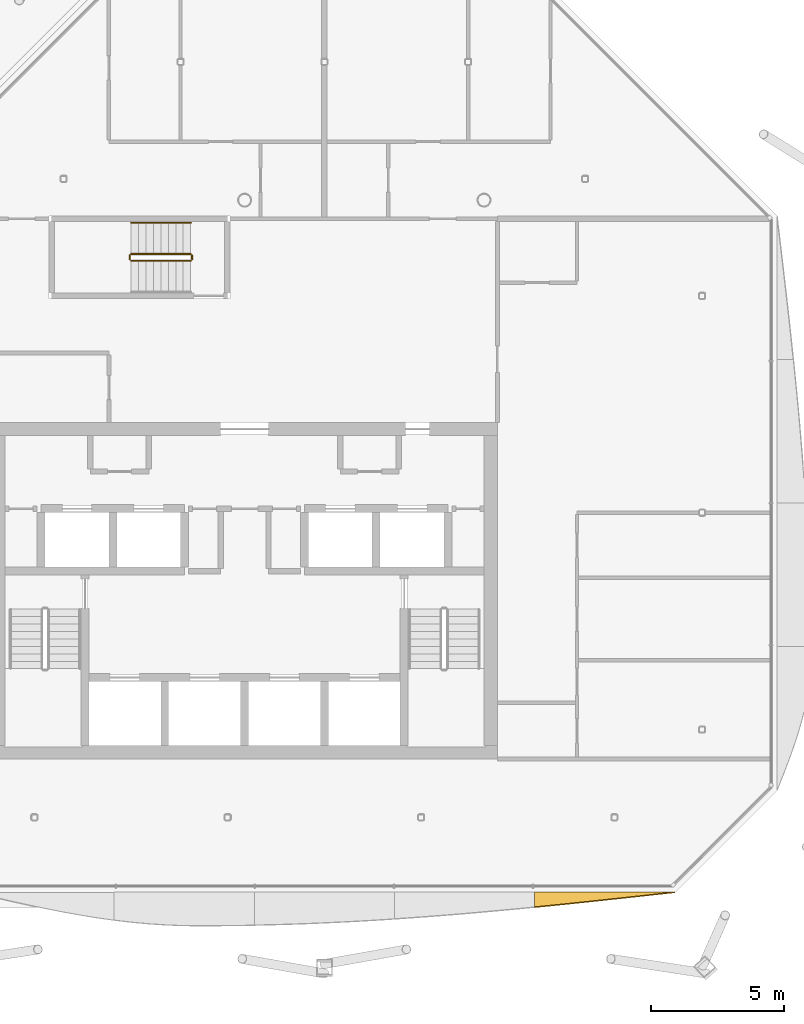
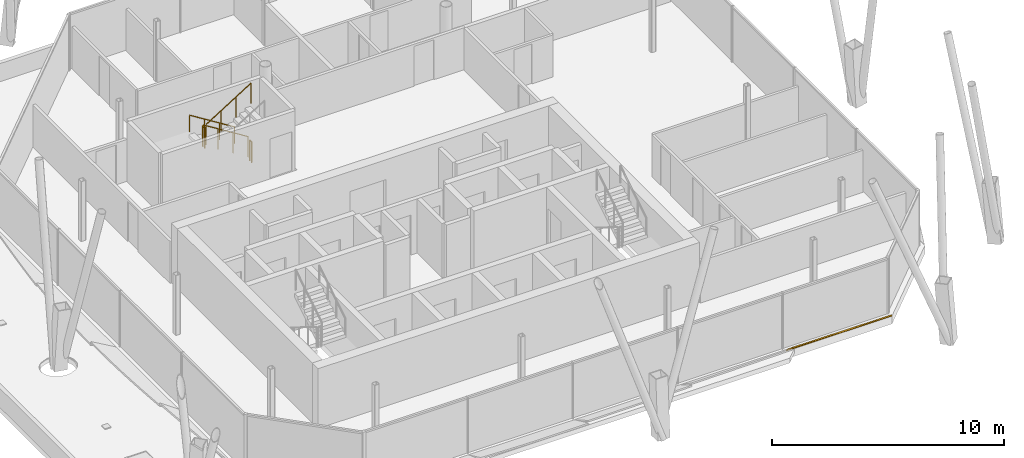
# One storey, part 15 of 17: 5 railings, 1 shading device.
"""IFC4 building model written with IfcOpenShell, lengths in metres."""

from ifc_helpers import new_model, si_unit, direction, frame, origin, origin_2d, place, context, subcontext, project, spatial, polyline, circle, outline, extrude, material, layer, layer_set, type_object, element, save


model = new_model("IFC4")

# Units and contexts
model_context = context("Model", 3, precision=1e-05, world=origin(), true_north=direction((0.0, 1.0)))
body_context = subcontext(model_context, "Body", "Model", "MODEL_VIEW")
ifc_project = project(units=[si_unit("LENGTHUNIT", "METRE"), si_unit("AREAUNIT", "SQUARE_METRE"), si_unit("VOLUMEUNIT", "CUBIC_METRE"), si_unit("PLANEANGLEUNIT", "RADIAN"), si_unit("MASSUNIT", "GRAM", prefix="KILO")], contexts=[model_context])

# Site, building, storey
site_placement = place(None, origin())
site = spatial("IfcSite", under=ifc_project, at=site_placement, CompositionType="ELEMENT")
building_placement = place(site_placement, origin())
building = spatial("IfcBuilding", under=site, at=building_placement, Name="Tskaro Facet Tower", CompositionType="ELEMENT")
storey_placement = place(building_placement, frame((0.0, 0.0, 259.5)))
storey = spatial("IfcBuildingStorey", under=building, at=storey_placement, Name="L68", CompositionType="ELEMENT", Elevation=259.5)

# Shading device
ifc_material_1 = material(Name="Bronze anodised aluminium 6063-T6", Category="aluminium")
ifc_layer = layer(ifc_material_1, 0.06005859375, Name="Bronze anodised aluminium 6063-T6")
ifc_layer_set = layer_set([ifc_layer], Name="Bronze anodised aluminium 6063-T6")
shading_device_type = type_object("IfcShadingDeviceType", Name="Bronze sun blade (FN1)", PredefinedType="USERDEFINED", material=ifc_layer_set)
shading_device_placement = place(storey_placement, frame((10.904296875, -17.00439453125, 0.0458984375), z_axis=(-1.8355717e-05, 0.642906464729, 0.765944695962), x_axis=(0.999999999832, 1.1801009e-05, 1.4059464e-05)))
element("IfcShadingDevice", 1, at=shading_device_placement, inside=storey, type_object=shading_device_type, Name="Fin blade south 5", ObjectType="FIN", PredefinedType="USERDEFINED", context=body_context, shape_type="SweptSolid", body=[
    extrude(outline(polyline([(0.0, 0.0), (5.269775389737221, 8.927346760978551e-21), (4.61108398603137, -0.09477836693077234), (3.9523925783416507, -0.18905581647244163), (3.293701172981657, -0.28280230999433065), (2.6350097659675216, -0.37551693010733644), (1.9763183572992444, -0.4671996768114589), (1.3173828115626973, -0.5571325958700988), (0.6586914036942062, -0.6453457259139332), (-1.7203570959133154e-09, -0.7311211127063628), (0.0, 0.0)])), origin(), (0.0, 0.0, -1.0), 0.06005859375),
])

# Railings
ifc_material_2 = material(Name="Stainless steel", Category="steel")
railing_type_1 = type_object("IfcRailingType", Name="RL-GUARD-1100", PredefinedType="GUARDRAIL", material=ifc_material_2)
railing_1_placement = place(storey_placement, frame((-2.02490234375, 6.97509765625, 0.175048828125)))
element("IfcRailing", 2, at=railing_1_placement, inside=storey, type_object=railing_type_1, Name="L68 ST-3 stair guard 1", PredefinedType="GUARDRAIL", context=body_context, shape_type="SweptSolid", body=[
    extrude(circle(Radius=0.02392578125, at=origin_2d()), frame((0.0, 0.0, 1.076171875), z_axis=(-0.848013881152, 0.0, 0.529974015752), x_axis=(0.0, -1.0, 0.0)), (0.0, 0.0, 1.0), 2.641357421875),
    extrude(circle(Radius=0.02099609375, at=origin_2d()), origin(), (0.0, 0.0, 1.0), 1.052001953125),
    extrude(circle(Radius=0.02099609375, at=origin_2d()), frame((-0.74658203125, 0.0, 0.466552734375)), (0.0, 0.0, 1.0), 1.052001953125),
    extrude(circle(Radius=0.02099609375, at=origin_2d()), frame((-1.493408203125, 0.0, 0.933349609375)), (0.0, 0.0, 1.0), 1.052001953125),
    extrude(circle(Radius=0.02099609375, at=origin_2d()), frame((-2.239990234375, 0.0, 1.39990234375)), (0.0, 0.0, 1.0), 1.052001953125),
])
railing_2_placement = place(storey_placement, frame((-4.31494140625, 6.925048828125, 1.574951171875)))
element("IfcRailing", 3, at=railing_2_placement, inside=storey, type_object=railing_type_1, Name="L68 ST-3 stair guard 2", PredefinedType="GUARDRAIL", context=body_context, shape_type="SweptSolid", body=[
    extrude(circle(Radius=0.02392578125, at=origin_2d()), frame((0.0, 0.0, 1.076171875), z_axis=(0.0, -1.0, 0.0), x_axis=(1.0, 0.0, 0.0)), (0.0, 0.0, 1.0), 0.150146484375),
    extrude(circle(Radius=0.02099609375, at=origin_2d()), origin(), (0.0, 0.0, 1.0), 1.052001953125),
    extrude(circle(Radius=0.02099609375, at=origin_2d()), frame((0.0, -0.150146484375, 0.0)), (0.0, 0.0, 1.0), 1.052001953125),
])
railing_3_placement = place(storey_placement, frame((-4.264892578125, 6.72509765625, 1.75)))
element("IfcRailing", 4, at=railing_3_placement, inside=storey, type_object=railing_type_1, Name="L68 ST-3 stair guard 3", PredefinedType="GUARDRAIL", context=body_context, shape_type="SweptSolid", body=[
    extrude(circle(Radius=0.02392578125, at=origin_2d()), frame((0.0, 0.0, 1.076171875), z_axis=(0.848013881152, 0.0, 0.529974015752), x_axis=(0.0, 1.0, 0.0)), (0.0, 0.0, 1.0), 2.641357421875),
    extrude(circle(Radius=0.02099609375, at=origin_2d()), origin(), (0.0, 0.0, 1.0), 1.052001953125),
    extrude(circle(Radius=0.02099609375, at=origin_2d()), frame((0.74658203125, 0.0, 0.466552734375)), (0.0, 0.0, 1.0), 1.052001953125),
    extrude(circle(Radius=0.02099609375, at=origin_2d()), frame((1.493408203125, 0.0, 0.933349609375)), (0.0, 0.0, 1.0), 1.052001953125),
    extrude(circle(Radius=0.02099609375, at=origin_2d()), frame((2.239990234375, 0.0, 1.39990234375)), (0.0, 0.0, 1.0), 1.052001953125),
])
railing_4_placement = place(storey_placement, frame((-1.97509765625, 6.925048828125, 0.0)))
element("IfcRailing", 5, at=railing_4_placement, inside=storey, type_object=railing_type_1, Name="L68 ST-3 stair guard 4", PredefinedType="GUARDRAIL", context=body_context, shape_type="SweptSolid", body=[
    extrude(circle(Radius=0.02392578125, at=origin_2d()), frame((0.0, 0.0, 1.076171875), z_axis=(0.0, -1.0, 0.0), x_axis=(1.0, 0.0, 0.0)), (0.0, 0.0, 1.0), 0.150146484375),
    extrude(circle(Radius=0.02099609375, at=origin_2d()), origin(), (0.0, 0.0, 1.0), 1.052001953125),
    extrude(circle(Radius=0.02099609375, at=origin_2d()), frame((0.0, -0.150146484375, 0.0)), (0.0, 0.0, 1.0), 1.052001953125),
])
railing_type_2 = type_object("IfcRailingType", Name="RL-HANDRAIL-900", PredefinedType="HANDRAIL", material=ifc_material_2)
railing_5_placement = place(storey_placement, frame((-2.02490234375, 8.14990234375, 0.175048828125)))
element("IfcRailing", 6, at=railing_5_placement, inside=storey, type_object=railing_type_2, Name="L68 ST-3 stair handrail 1", PredefinedType="HANDRAIL", context=body_context, shape_type="SweptSolid", body=[
    extrude(circle(Radius=0.02392578125, at=origin_2d()), frame((0.0, 0.0, 0.8759765625), z_axis=(-0.848013881152, 0.0, 0.529974015752), x_axis=(0.0, -1.0, 0.0)), (0.0, 0.0, 1.0), 2.641357421875),
    extrude(circle(Radius=0.02099609375, at=origin_2d()), origin(), (0.0, 0.0, 1.0), 0.851806640625),
    extrude(circle(Radius=0.02099609375, at=origin_2d()), frame((-0.74658203125, 0.0, 0.466552734375)), (0.0, 0.0, 1.0), 0.851806640625),
    extrude(circle(Radius=0.02099609375, at=origin_2d()), frame((-1.493408203125, 0.0, 0.933349609375)), (0.0, 0.0, 1.0), 0.851806640625),
    extrude(circle(Radius=0.02099609375, at=origin_2d()), frame((-2.239990234375, 0.0, 1.39990234375)), (0.0, 0.0, 1.0), 0.851806640625),
])

save(model, "model.ifc")
